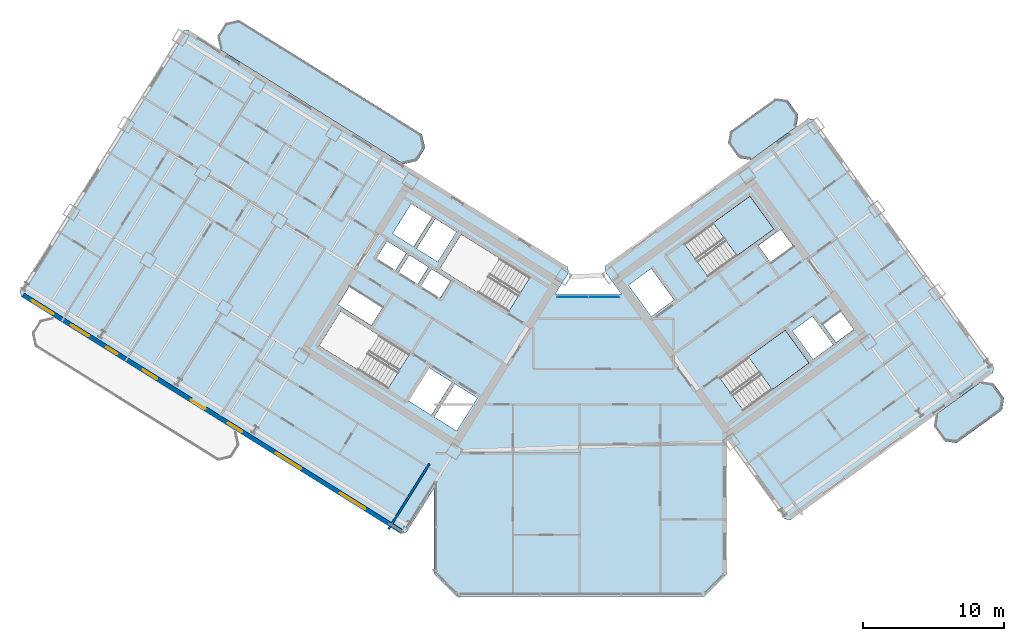
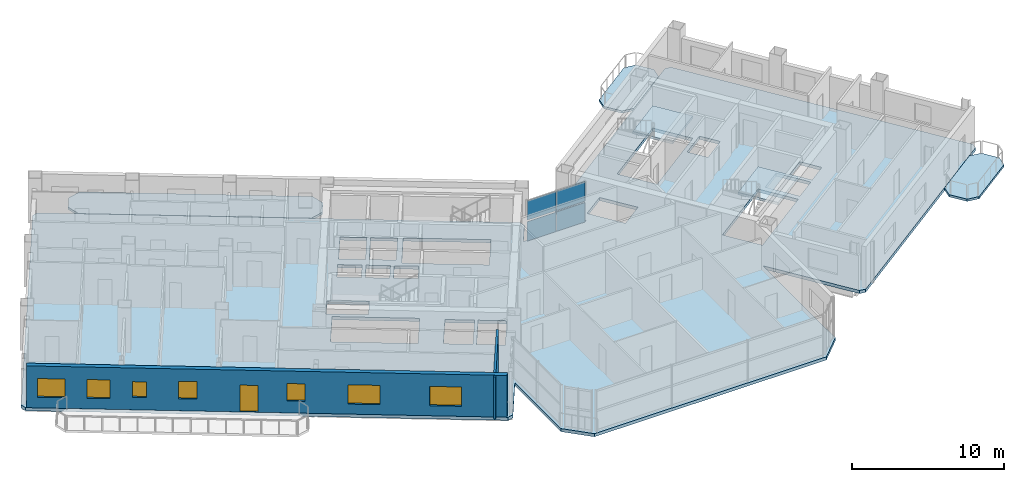
# One storey, part 15 of 25: 7 windows, 6 slabs, 4 plates, 2 walls, 1 door, 8 openings, 3 elements without a shape of their own.
"""IFC4 building model written with IfcOpenShell, lengths in metres."""

from ifc_helpers import new_model, si_unit, direction, frame, frame_2d, origin, origin_2d, place, context, subcontext, project, spatial, polyline, rectangle, outline, extrude, source, transform, mapped, material, layer, layer_set, type_object, element, fill, aggregate, save


model = new_model("IFC4")

# Units and contexts
model_context = context("Model", 3, precision=1e-05, world=origin(), true_north=direction((0.0, 1.0)))
body_context = subcontext(model_context, "Body", "Model", "MODEL_VIEW")
ifc_project = project(units=[si_unit("LENGTHUNIT", "METRE"), si_unit("AREAUNIT", "SQUARE_METRE"), si_unit("VOLUMEUNIT", "CUBIC_METRE"), si_unit("PLANEANGLEUNIT", "RADIAN"), si_unit("MASSUNIT", "GRAM", prefix="KILO")], contexts=[model_context])

# Site, building, storey
site_placement = place(None, origin())
site = spatial("IfcSite", under=ifc_project, at=site_placement, CompositionType="ELEMENT")
building_placement = place(site_placement, origin())
building = spatial("IfcBuilding", under=site, at=building_placement, Name="Tlacorven Tower", CompositionType="ELEMENT")
storey_placement = place(building_placement, frame((0.0, 0.0, 162.300048828125)))
storey = spatial("IfcBuildingStorey", under=building, at=storey_placement, Name="L41", CompositionType="ELEMENT", Elevation=162.300048828125)

# Slabs
ifc_material_1 = material(Name="Precast concrete C45/55", Category="concrete")
ifc_layer_1 = layer(ifc_material_1, 0.179931640625)
ifc_layer_set_1 = layer_set([ifc_layer_1], Name="Precast concrete C45/55")
slab_type_1 = type_object("IfcSlabType", Name="SL-BAL-180", PredefinedType="USERDEFINED", material=ifc_layer_set_1)
slab_1_placement = place(storey_placement, frame((0.0, 0.0, -0.179931640625)))
element("IfcSlab", 1, at=slab_1_placement, inside=storey, type_object=slab_type_1, Name="L41 West Wing Balcony Ribbon IN", ObjectType="BALCONY SLAB", PredefinedType="USERDEFINED", context=body_context, shape_type="SweptSolid", body=[
    extrude(outline(polyline([(30.756591796875, 34.57763671875), (17.781494140625, 42.685546875), (16.81689453125, 42.462890625), (16.236572265625, 41.5341796875), (16.459228515625, 40.569580078125), (29.434326171875, 32.4619140625), (30.39892578125, 32.6845703125), (30.979248046875, 33.613037109375), (30.756591796875, 34.57763671875)])), origin(), (0.0, 0.0, 1.0), 0.179931640625),
])
slab_2_placement = place(storey_placement, frame((0.0, 0.0, -0.179931640625)))
element("IfcSlab", 2, at=slab_2_placement, inside=storey, type_object=slab_type_1, Name="L41 East Wing Balcony Ribbon OUT", ObjectType="BALCONY SLAB", PredefinedType="USERDEFINED", context=body_context, shape_type="SweptSolid", body=[
    extrude(outline(polyline([(68.669921875, 12.678955078125), (71.906005859375, 15.0302734375), (72.03857421875, 15.8681640625), (71.27734375, 16.916015625), (70.439453125, 17.048583984375), (67.203369140625, 14.697509765625), (67.070556640625, 13.859375), (67.831787109375, 12.811767578125), (68.669921875, 12.678955078125)])), origin(), (0.0, 0.0, 1.0), 0.179931640625),
])
slab_3_placement = place(storey_placement, frame((0.0, 0.0, -0.179931640625)))
element("IfcSlab", 3, at=slab_3_placement, inside=storey, type_object=slab_type_1, Name="L41 East Wing Balcony Ribbon IN", ObjectType="BALCONY SLAB", PredefinedType="USERDEFINED", context=body_context, shape_type="SweptSolid", body=[
    extrude(outline(polyline([(54.078125, 32.762939453125), (57.314208984375, 35.114013671875), (57.44677734375, 35.9521484375), (56.685791015625, 36.999755859375), (55.84765625, 37.132568359375), (52.611572265625, 34.78125), (52.478759765625, 33.943359375), (53.239990234375, 32.8955078125), (54.078125, 32.762939453125)])), origin(), (0.0, 0.0, 1.0), 0.179931640625),
])

# Stair, slab
ifc_material_2 = material(Name="Concrete C40/50", Category="concrete")
stair_type = type_object("IfcStairType", Name="ST-CORE-DLG", PredefinedType="HALF_TURN_STAIR", material=ifc_material_2)
stair_1_placement = place(storey_placement, origin())
stair_1 = element("IfcStair", 4, at=stair_1_placement, inside=storey, type_object=stair_type, Name="L41 Protected Exit Stair East 1", PredefinedType="HALF_TURN_STAIR")
ifc_layer_2 = layer(ifc_material_2, 0.199951171875)
ifc_layer_set_2 = layer_set([ifc_layer_2], Name="Concrete C40/50")
slab_type_2 = type_object("IfcSlabType", Name="SL-LND-200", PredefinedType="LANDING", material=ifc_layer_set_2)
slab_4_placement = place(storey_placement, frame((0.0, 0.0, 1.599853515625)))
slab_4 = element("IfcSlab", 5, at=slab_4_placement, type_object=slab_type_2, Name="ST-E1 landing 1", PredefinedType="LANDING", context=body_context, shape_type="SweptSolid", body=[
    extrude(outline(polyline([(53.09765625, 25.962890625), (55.7109375, 27.861572265625), (54.01806640625, 30.19140625), (51.40478515625, 28.29296875), (53.09765625, 25.962890625)])), origin(), (0.0, 0.0, 1.0), 0.2001953125),
])
aggregate(stair_1, [slab_4])

stair_2_placement = place(storey_placement, origin())
stair_2 = element("IfcStair", 6, at=stair_2_placement, inside=storey, type_object=stair_type, Name="L41 Protected Exit Stair East 2", PredefinedType="HALF_TURN_STAIR")
slab_5_placement = place(storey_placement, frame((0.0, 0.0, 1.599853515625)))
slab_5 = element("IfcSlab", 7, at=slab_5_placement, type_object=slab_type_2, Name="ST-E2 landing 1", PredefinedType="LANDING", context=body_context, shape_type="SweptSolid", body=[
    extrude(outline(polyline([(55.601806640625, 16.4599609375), (58.21484375, 18.3583984375), (56.52197265625, 20.6884765625), (53.908935546875, 18.789794921875), (55.601806640625, 16.4599609375)])), origin(), (0.0, 0.0, 1.0), 0.2001953125),
])
aggregate(stair_2, [slab_5])

# Slab
ifc_layer_3 = layer(ifc_material_2, 0.25)
ifc_layer_set_3 = layer_set([ifc_layer_3], Name="Concrete C40/50")
slab_type_3 = type_object("IfcSlabType", Name="SL-TWR-250", PredefinedType="FLOOR", material=ifc_layer_set_3)
slab_6_placement = place(storey_placement, frame((0.0, 0.0, -0.25)))
element("IfcSlab", 8, at=slab_6_placement, inside=storey, type_object=slab_type_3, Name="L41 Boomerang Tower Floor Slab", PredefinedType="FLOOR", context=body_context, shape_type="SweptSolid", body=[
    extrude(outline(polyline([(52.39990234375, 3.39990234375), (50.800048828125, 1.800048828125), (33.199951171875, 1.800048828125), (31.60009765625, 3.39990234375), (31.60009765625, 9.470703125), (29.652587890625, 6.35400390625), (29.2392578125, 6.258544921875), (2.339111328125, 23.067626953125), (2.24365234375, 23.481201171875), (13.75341796875, 41.900634765625), (14.1669921875, 41.99609375), (41.06689453125, 25.18701171875), (41.162353515625, 24.773681640625), (40.178955078125, 23.199951171875), (44.932373046875, 23.199951171875), (43.723876953125, 24.86328125), (43.790283203125, 25.2822265625), (58.1259765625, 35.69775390625), (58.545166015625, 35.63134765625), (71.311767578125, 18.0595703125), (71.245361328125, 17.640380859375), (56.90966796875, 7.224853515625), (56.49072265625, 7.291259765625), (52.39990234375, 12.921630859375), (52.39990234375, 3.39990234375)]), holes=[polyline([(29.865478515625, 18.979736328125), (24.9892578125, 22.02685546875), (23.463134765625, 19.58447265625), (28.33935546875, 16.537353515625), (29.865478515625, 18.979736328125)]), polyline([(38.4169921875, 24.4375), (33.540771484375, 27.484375), (32.0146484375, 25.0419921875), (36.890869140625, 21.9951171875), (38.4169921875, 24.4375)]), polyline([(51.05908203125, 24.481689453125), (55.7109375, 27.861572265625), (54.01806640625, 30.19140625), (49.3662109375, 26.811767578125), (51.05908203125, 24.481689453125)]), polyline([(53.56298828125, 14.978759765625), (58.21484375, 18.3583984375), (56.52197265625, 20.6884765625), (51.8701171875, 17.30859375), (53.56298828125, 14.978759765625)]), polyline([(34.682373046875, 15.87548828125), (33.088134765625, 16.871826171875), (31.62548828125, 14.531005859375), (33.2197265625, 13.534912109375), (34.682373046875, 15.87548828125)]), polyline([(32.884521484375, 16.9990234375), (31.2392578125, 18.02685546875), (29.77685546875, 15.686279296875), (31.421875, 14.658203125), (32.884521484375, 16.9990234375)]), polyline([(47.0234375, 21.648681640625), (48.6416015625, 22.82421875), (47.019287109375, 25.05712890625), (45.401123046875, 23.881591796875), (47.0234375, 21.648681640625)]), polyline([(33.197265625, 27.65185546875), (31.704833984375, 28.58447265625), (30.3798828125, 26.46435546875), (31.87255859375, 25.53173828125), (33.197265625, 27.65185546875)]), polyline([(31.484375, 28.722412109375), (29.99169921875, 29.655029296875), (28.6669921875, 27.534912109375), (30.159423828125, 26.602294921875), (31.484375, 28.722412109375)]), polyline([(32.794921875, 24.17724609375), (31.43798828125, 25.025146484375), (30.685546875, 23.82080078125), (32.042236328125, 22.972900390625), (32.794921875, 24.17724609375)]), polyline([(31.217529296875, 25.162841796875), (29.860595703125, 26.0107421875), (29.108154296875, 24.806396484375), (30.465087890625, 23.958740234375), (31.217529296875, 25.162841796875)]), polyline([(29.64013671875, 26.1484375), (28.283203125, 26.996337890625), (27.53076171875, 25.792236328125), (28.8876953125, 24.9443359375), (29.64013671875, 26.1484375)]), polyline([(58.498779296875, 18.614013671875), (59.922607421875, 19.648681640625), (58.453125, 21.671142578125), (57.029296875, 20.63671875), (58.498779296875, 18.614013671875)]), polyline([(27.96142578125, 22.2919921875), (25.603759765625, 23.76513671875), (24.80908203125, 22.4931640625), (27.16650390625, 21.02001953125), (27.96142578125, 22.2919921875)]), polyline([(55.490478515625, 25.4765625), (57.092529296875, 26.640380859375), (56.210693359375, 27.85400390625), (54.60888671875, 26.690185546875), (55.490478515625, 25.4765625)]), polyline([(60.12109375, 19.817626953125), (61.38330078125, 20.734619140625), (60.45458984375, 22.012939453125), (59.192626953125, 21.095947265625), (60.12109375, 19.817626953125)])]), origin(), (0.0, 0.0, 1.0), 0.25),
])

# Curtain wall, plates
ifc_material_3 = material(Name="Dark solar low-E double glazing in aluminium frame", Category="aluminium")
curtain_wall_type = type_object("IfcCurtainWallType", Name="CW-TWR-MID", PredefinedType="USERDEFINED", material=ifc_material_3)
curtain_wall_placement = place(storey_placement, origin())
curtain_wall = element("IfcCurtainWall", 9, at=curtain_wall_placement, inside=storey, type_object=curtain_wall_type, Name="L41 CW-TWR-MID Curtain Wall 189", ObjectType="UNITISED CURTAIN WALL", PredefinedType="USERDEFINED")
ifc_material_4 = material(Name="High-wind dark solar tempered low-E glazing", Category="glass")
ifc_layer_4 = layer(ifc_material_4, 0.028076171875)
ifc_layer_set_4 = layer_set([ifc_layer_4], Name="High-wind dark solar tempered low-E glazing")
plate_type = type_object("IfcPlateType", Name="CWP-03", PredefinedType="CURTAIN_PANEL", material=ifc_layer_set_4)
shared_shape_1 = source(origin(), body_context, "Body", "SweptSolid", [
    extrude(rectangle(XDim=2.178466796875, YDim=0.028076171875, at=origin_2d()), origin(), (0.0, 0.0, 1.0), 1.552978515625),
])
plate_1_placement = place(storey_placement, frame((41.447998046875, 23.0400390625, 0.06103515625), z_axis=(0.0, 0.0, 1.0), x_axis=(1.0, 0.0, 0.0)))
plate_1 = element("IfcPlate", 10, at=plate_1_placement, type_object=plate_type, Name="CW-L41-189 Glazing Panel 1", PredefinedType="CURTAIN_PANEL", context=body_context, shape_type="MappedRepresentation", body=[
    mapped(shared_shape_1, transform((0.0, 0.0, 0.0), scale=1.0)),
])
plate_2_placement = place(storey_placement, frame((41.447998046875, 23.0400390625, 1.73583984375), z_axis=(0.0, 0.0, 1.0), x_axis=(1.0, 0.0, 0.0)))
plate_2 = element("IfcPlate", 11, at=plate_2_placement, type_object=plate_type, Name="CW-L41-189 Glazing Panel 2", PredefinedType="CURTAIN_PANEL", context=body_context, shape_type="MappedRepresentation", body=[
    mapped(shared_shape_1, transform((0.0, 0.0, 0.0), scale=1.0)),
])
plate_3_placement = place(storey_placement, frame((43.673583984375, 23.0400390625, 0.06103515625), z_axis=(0.0, 0.0, 1.0), x_axis=(1.0, 0.0, 0.0)))
plate_3 = element("IfcPlate", 12, at=plate_3_placement, type_object=plate_type, Name="CW-L41-189 Glazing Panel 3", PredefinedType="CURTAIN_PANEL", context=body_context, shape_type="MappedRepresentation", body=[
    mapped(shared_shape_1, transform((0.0, 0.0, 0.0), scale=1.0)),
])
plate_4_placement = place(storey_placement, frame((43.673583984375, 23.0400390625, 1.73583984375), z_axis=(0.0, 0.0, 1.0), x_axis=(1.0, 0.0, 0.0)))
plate_4 = element("IfcPlate", 13, at=plate_4_placement, type_object=plate_type, Name="CW-L41-189 Glazing Panel 4", PredefinedType="CURTAIN_PANEL", context=body_context, shape_type="MappedRepresentation", body=[
    mapped(shared_shape_1, transform((0.0, 0.0, 0.0), scale=1.0)),
])
aggregate(curtain_wall, [plate_1, plate_2, plate_3, plate_4])

# Wall
ifc_material_5 = material(Name="Gypsum plasterboard acoustic partition", Category="gypsum")
ifc_layer_5 = layer(ifc_material_5, 0.159912109375)
ifc_layer_set_5 = layer_set([ifc_layer_5], Name="Gypsum plasterboard acoustic partition")
wall_type_1 = type_object("IfcWallType", Name="WL-DEM-160", PredefinedType="PARTITIONING", material=ifc_layer_set_5)
wall_1_placement = place(storey_placement, frame((31.282470703125, 11.2080078125, 0.0), z_axis=(0.0, 0.0, 1.0), x_axis=(-0.529938869374, -0.84803584519, 0.0)))
element("IfcWall", 14, at=wall_1_placement, inside=storey, type_object=wall_type_1, Name="L41 WC West Throat Wall", PredefinedType="PARTITIONING", context=body_context, shape_type="SweptSolid", body=[
    extrude(rectangle(XDim=5.47998046875, YDim=0.159912109375, at=frame_2d((2.739990234375, 0.0))), origin(), (0.0, 0.0, 1.0), 3.33984375),
])

# Wall, openings, door, windows
ifc_layer_6 = layer(ifc_material_1, 0.320068359375)
ifc_layer_set_6 = layer_set([ifc_layer_6], Name="Precast concrete C45/55")
wall_type_2 = type_object("IfcWallType", Name="WL-EXT-320", PredefinedType="STANDARD", material=ifc_layer_set_6)
wall_2_placement = place(storey_placement, frame((29.267822265625, 6.429443359375, 0.0), z_axis=(0.0, 0.0, 1.0), x_axis=(-0.848049971435, 0.529916263149, 0.0)))
wall_2 = element("IfcWall", 15, at=wall_2_placement, inside=storey, type_object=wall_type_2, Name="L41 Masonry-Frame Recessed Facade Wall 1", PredefinedType="STANDARD", context=body_context, shape_type="SweptSolid", body=[
    extrude(rectangle(XDim=31.587646484375, YDim=0.320068359375, at=frame_2d((15.7939453125, 0.0))), origin(), (0.0, 0.0, 1.0), 3.349853515625),
])
opening_1_placement = place(wall_2_placement, frame((16.36181640625, 0.0, 0.0)))
opening_1 = element("IfcOpeningElement", 16, at=opening_1_placement, cuts=wall_2, Name="Opening D05", PredefinedType="OPENING", context=body_context, shape_type="SweptSolid", body=[
    extrude(rectangle(XDim=1.199951171875, YDim=2.14990234375, at=frame_2d((0.60009765625, 1.074951171875))), frame((0.0, 0.169921875, 0.0), z_axis=(0.0, -1.0, 0.0), x_axis=(1.0, 0.0, 0.0)), (0.0, 0.0, 1.0), 0.340087890625),
])
opening_2_placement = place(wall_2_placement, frame((2.98876953125, 0.0, 0.800048828125)))
opening_2 = element("IfcOpeningElement", 17, at=opening_2_placement, cuts=wall_2, Name="Opening WN04", PredefinedType="OPENING", context=body_context, shape_type="SweptSolid", body=[
    extrude(rectangle(XDim=2.10009765625, YDim=1.550048828125, at=frame_2d((1.050048828125, 0.77490234375))), frame((0.0, 0.169921875, 0.0), z_axis=(0.0, -1.0, 0.0), x_axis=(1.0, 0.0, 0.0)), (0.0, 0.0, 1.0), 0.340087890625),
])
opening_3_placement = place(wall_2_placement, frame((8.358642578125, 0.0, 0.800048828125)))
opening_3 = element("IfcOpeningElement", 18, at=opening_3_placement, cuts=wall_2, Name="Opening WN04", PredefinedType="OPENING", context=body_context, shape_type="SweptSolid", body=[
    extrude(rectangle(XDim=2.10009765625, YDim=1.550048828125, at=frame_2d((1.050048828125, 0.77490234375))), frame((0.0, 0.169921875, 0.0), z_axis=(0.0, -1.0, 0.0), x_axis=(1.0, 0.0, 0.0)), (0.0, 0.0, 1.0), 0.340087890625),
])
opening_4_placement = place(wall_2_placement, frame((13.28369140625, 0.0, 0.949951171875)))
opening_4 = element("IfcOpeningElement", 19, at=opening_4_placement, cuts=wall_2, Name="Opening WN03", PredefinedType="OPENING", context=body_context, shape_type="SweptSolid", body=[
    extrude(rectangle(XDim=1.199951171875, YDim=1.39990234375, at=frame_2d((0.60009765625, 0.699951171875))), frame((0.0, 0.169921875, 0.0), z_axis=(0.0, -1.0, 0.0), x_axis=(1.0, 0.0, 0.0)), (0.0, 0.0, 1.0), 0.340087890625),
])
opening_5_placement = place(wall_2_placement, frame((20.39013671875, 0.0, 0.949951171875)))
opening_5 = element("IfcOpeningElement", 20, at=opening_5_placement, cuts=wall_2, Name="Opening WN03", PredefinedType="OPENING", context=body_context, shape_type="SweptSolid", body=[
    extrude(rectangle(XDim=1.199951171875, YDim=1.39990234375, at=frame_2d((0.60009765625, 0.699951171875))), frame((0.0, 0.169921875, 0.0), z_axis=(0.0, -1.0, 0.0), x_axis=(1.0, 0.0, 0.0)), (0.0, 0.0, 1.0), 0.340087890625),
])
opening_6_placement = place(wall_2_placement, frame((23.715087890625, 0.0, 1.0)))
opening_6 = element("IfcOpeningElement", 21, at=opening_6_placement, cuts=wall_2, Name="Opening WN05", PredefinedType="OPENING", context=body_context, shape_type="SweptSolid", body=[
    extrude(rectangle(XDim=0.89990234375, YDim=1.25, at=frame_2d((0.449951171875, 0.625))), frame((0.0, 0.169921875, 0.0), z_axis=(0.0, -1.0, 0.0), x_axis=(1.0, 0.0, 0.0)), (0.0, 0.0, 1.0), 0.340087890625),
])
opening_7_placement = place(wall_2_placement, frame((26.106201171875, 0.0, 0.85009765625)))
opening_7 = element("IfcOpeningElement", 22, at=opening_7_placement, cuts=wall_2, Name="Opening WN02", PredefinedType="OPENING", context=body_context, shape_type="SweptSolid", body=[
    extrude(rectangle(XDim=1.5, YDim=1.5, at=frame_2d((0.75, 0.75))), frame((0.0, 0.169921875, 0.0), z_axis=(0.0, -1.0, 0.0), x_axis=(1.0, 0.0, 0.0)), (0.0, 0.0, 1.0), 0.340087890625),
])
opening_8_placement = place(wall_2_placement, frame((29.068115234375, 0.0, 0.85009765625)))
opening_8 = element("IfcOpeningElement", 23, at=opening_8_placement, cuts=wall_2, Name="Opening WN01", PredefinedType="OPENING", context=body_context, shape_type="SweptSolid", body=[
    extrude(rectangle(XDim=1.800048828125, YDim=1.5, at=frame_2d((0.89990234375, 0.75))), frame((0.0, 0.169921875, 0.0), z_axis=(0.0, -1.0, 0.0), x_axis=(1.0, 0.0, 0.0)), (0.0, 0.0, 1.0), 0.340087890625),
])
ifc_material_6 = material(Name="Powder-coated aluminium and timber door", Category="wood")
door_type = type_object("IfcDoorType", Name="DR-EXT-BALC-1200", OperationType="NOTDEFINED", PredefinedType="DOOR", material=ifc_material_6)
shared_shape_2 = source(origin(), body_context, "Body", "SweptSolid", [
    extrude(rectangle(XDim=1.199951171875, YDim=2.14990234375, at=frame_2d((0.60009765625, 1.074951171875))), frame((0.0, 0.02490234375, 0.0), z_axis=(0.0, -1.0, 0.0), x_axis=(1.0, 0.0, 0.0)), (0.0, 0.0, 1.0), 0.050048828125),
])
door_placement = place(opening_1_placement, origin())
door = element("IfcDoor", 24, at=door_placement, inside=storey, type_object=door_type, Name="L41 Outdoor Access Door BAL-L41-W-OUT", OperationType="SINGLE_SWING_LEFT", OverallHeight=2.14990234375, OverallWidth=1.199951171875, PredefinedType="DOOR", context=body_context, shape_type="MappedRepresentation", body=[
    mapped(shared_shape_2, transform((0.0, 0.0, 0.0), scale=1.0)),
])
fill(opening_1, door)
ifc_material_7 = material(Name="Dark solar low-E double glazing in anodised aluminium frame", Category="aluminium")
window_type_1 = type_object("IfcWindowType", Name="WN-APT-2100X1750", PartitioningType="SINGLE_PANEL", PredefinedType="WINDOW", material=ifc_material_7)
shared_shape_3 = source(origin(), body_context, "Body", "SweptSolid", [
    extrude(rectangle(XDim=2.10009765625, YDim=1.550048828125, at=frame_2d((1.050048828125, 0.77490234375))), frame((0.0, 0.030029296875, 0.0), z_axis=(0.0, -1.0, 0.0), x_axis=(1.0, 0.0, 0.0)), (0.0, 0.0, 1.0), 0.06005859375),
])
window_1_placement = place(opening_2_placement, origin())
window_1 = element("IfcWindow", 25, at=window_1_placement, inside=storey, type_object=window_type_1, Name="L41 Recessed Masonry-Frame Window L41-01.1", OverallHeight=1.550048828125, OverallWidth=2.10009765625, PartitioningType="SINGLE_PANEL", PredefinedType="WINDOW", context=body_context, shape_type="MappedRepresentation", body=[
    mapped(shared_shape_3, transform((0.0, 0.0, 0.0), scale=1.0)),
])
fill(opening_2, window_1)
window_2_placement = place(opening_3_placement, origin())
window_2 = element("IfcWindow", 26, at=window_2_placement, inside=storey, type_object=window_type_1, Name="L41 Recessed Masonry-Frame Window L41-01.2", OverallHeight=1.550048828125, OverallWidth=2.10009765625, PartitioningType="SINGLE_PANEL", PredefinedType="WINDOW", context=body_context, shape_type="MappedRepresentation", body=[
    mapped(shared_shape_3, transform((0.0, 0.0, 0.0), scale=1.0)),
])
fill(opening_3, window_2)
window_type_2 = type_object("IfcWindowType", Name="WN-APT-1200X1500", PartitioningType="SINGLE_PANEL", PredefinedType="WINDOW", material=ifc_material_7)
shared_shape_4 = source(origin(), body_context, "Body", "SweptSolid", [
    extrude(rectangle(XDim=1.199951171875, YDim=1.39990234375, at=frame_2d((0.60009765625, 0.699951171875))), frame((0.0, 0.030029296875, 0.0), z_axis=(0.0, -1.0, 0.0), x_axis=(1.0, 0.0, 0.0)), (0.0, 0.0, 1.0), 0.06005859375),
])
window_3_placement = place(opening_4_placement, origin())
window_3 = element("IfcWindow", 27, at=window_3_placement, inside=storey, type_object=window_type_2, Name="L41 Recessed Masonry-Frame Window L41-01.3", OverallHeight=1.39990234375, OverallWidth=1.199951171875, PartitioningType="SINGLE_PANEL", PredefinedType="WINDOW", context=body_context, shape_type="MappedRepresentation", body=[
    mapped(shared_shape_4, transform((0.0, 0.0, 0.0), scale=1.0)),
])
fill(opening_4, window_3)
window_4_placement = place(opening_5_placement, origin())
window_4 = element("IfcWindow", 28, at=window_4_placement, inside=storey, type_object=window_type_2, Name="L41 Recessed Masonry-Frame Window L41-01.4", OverallHeight=1.39990234375, OverallWidth=1.199951171875, PartitioningType="SINGLE_PANEL", PredefinedType="WINDOW", context=body_context, shape_type="MappedRepresentation", body=[
    mapped(shared_shape_4, transform((0.0, 0.0, 0.0), scale=1.0)),
])
fill(opening_5, window_4)
window_type_3 = type_object("IfcWindowType", Name="WN-APT-1800X1650", PartitioningType="SINGLE_PANEL", PredefinedType="WINDOW", material=ifc_material_7)
shared_shape_5 = source(origin(), body_context, "Body", "SweptSolid", [
    extrude(rectangle(XDim=1.800048828125, YDim=1.5, at=frame_2d((0.89990234375, 0.75))), frame((0.0, 0.030029296875, 0.0), z_axis=(0.0, -1.0, 0.0), x_axis=(1.0, 0.0, 0.0)), (0.0, 0.0, 1.0), 0.06005859375),
])
window_5_placement = place(opening_8_placement, origin())
window_5 = element("IfcWindow", 29, at=window_5_placement, inside=storey, type_object=window_type_3, Name="L41 Recessed Masonry-Frame Window L41-01.7", OverallHeight=1.5, OverallWidth=1.800048828125, PartitioningType="SINGLE_PANEL", PredefinedType="WINDOW", context=body_context, shape_type="MappedRepresentation", body=[
    mapped(shared_shape_5, transform((0.0, 0.0, 0.0), scale=1.0)),
])
fill(opening_8, window_5)
window_type_4 = type_object("IfcWindowType", Name="WN-APT-1500X1650", PartitioningType="SINGLE_PANEL", PredefinedType="WINDOW", material=ifc_material_7)
shared_shape_6 = source(origin(), body_context, "Body", "SweptSolid", [
    extrude(rectangle(XDim=1.5, YDim=1.5, at=frame_2d((0.75, 0.75))), frame((0.0, 0.030029296875, 0.0), z_axis=(0.0, -1.0, 0.0), x_axis=(1.0, 0.0, 0.0)), (0.0, 0.0, 1.0), 0.06005859375),
])
window_6_placement = place(opening_7_placement, origin())
window_6 = element("IfcWindow", 30, at=window_6_placement, inside=storey, type_object=window_type_4, Name="L41 Recessed Masonry-Frame Window L41-01.6", OverallHeight=1.5, OverallWidth=1.5, PartitioningType="SINGLE_PANEL", PredefinedType="WINDOW", context=body_context, shape_type="MappedRepresentation", body=[
    mapped(shared_shape_6, transform((0.0, 0.0, 0.0), scale=1.0)),
])
fill(opening_7, window_6)
window_type_5 = type_object("IfcWindowType", Name="WN-APT-0900X1350", PartitioningType="SINGLE_PANEL", PredefinedType="WINDOW", material=ifc_material_7)
shared_shape_7 = source(origin(), body_context, "Body", "SweptSolid", [
    extrude(rectangle(XDim=0.89990234375, YDim=1.25, at=frame_2d((0.449951171875, 0.625))), frame((0.0, 0.030029296875, 0.0), z_axis=(0.0, -1.0, 0.0), x_axis=(1.0, 0.0, 0.0)), (0.0, 0.0, 1.0), 0.06005859375),
])
window_7_placement = place(opening_6_placement, origin())
window_7 = element("IfcWindow", 31, at=window_7_placement, inside=storey, type_object=window_type_5, Name="L41 Recessed Masonry-Frame Window L41-01.5", OverallHeight=1.25, OverallWidth=0.89990234375, PartitioningType="SINGLE_PANEL", PredefinedType="WINDOW", context=body_context, shape_type="MappedRepresentation", body=[
    mapped(shared_shape_7, transform((0.0, 0.0, 0.0), scale=1.0)),
])
fill(opening_6, window_7)

save(model, "model.ifc")
